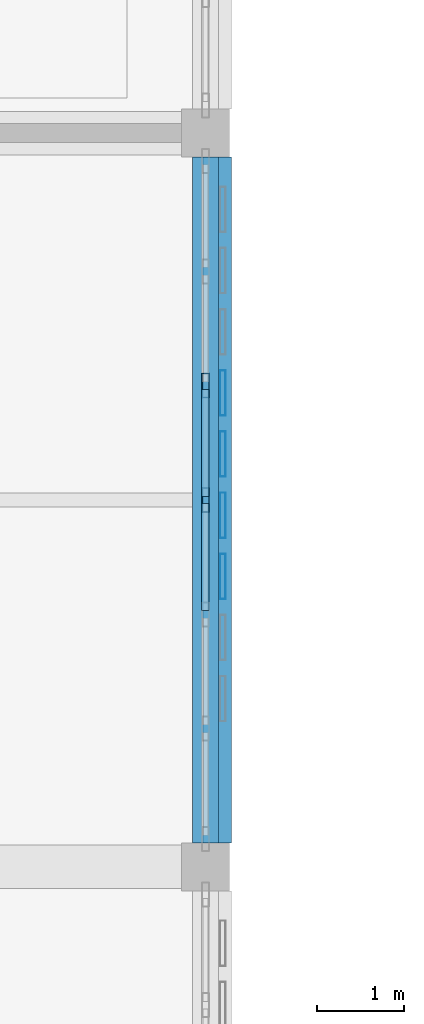
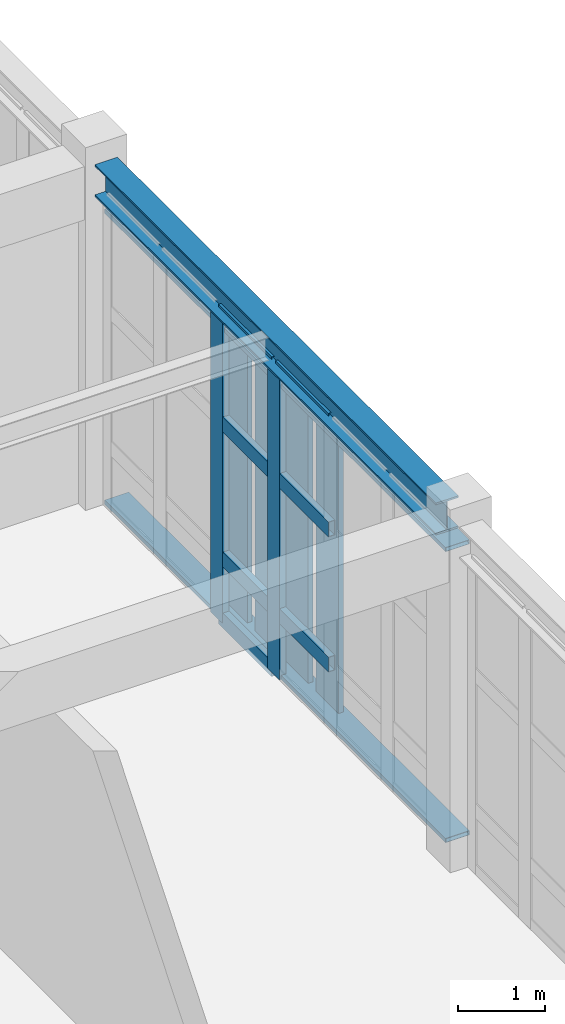
# One storey, part 23 of 106: 15 members, 1 beam, 1 element without a shape of its own.
"""IFC4 building model written with IfcOpenShell, lengths in metres."""

from ifc_helpers import new_model, si_unit, direction, frame, origin, origin_2d, place, context, subcontext, project, spatial, hollow_rectangle, i_section, extrude, material, layer, layer_set, material_profile, profile_set, type_object, element, aggregate, save


model = new_model("IFC4")

# Units and contexts
model_context = context("Model", 3, precision=1e-05, world=origin(), true_north=direction((0.0, 1.0)))
body_context = subcontext(model_context, "Body", "Model", "MODEL_VIEW")
ifc_project = project(units=[si_unit("LENGTHUNIT", "METRE"), si_unit("AREAUNIT", "SQUARE_METRE"), si_unit("VOLUMEUNIT", "CUBIC_METRE"), si_unit("PLANEANGLEUNIT", "RADIAN"), si_unit("MASSUNIT", "GRAM", prefix="KILO")], contexts=[model_context])

# Site, building, storey
site_placement = place(None, origin())
site = spatial("IfcSite", under=ifc_project, at=site_placement, CompositionType="ELEMENT")
building_placement = place(site_placement, origin())
building = spatial("IfcBuilding", under=site, at=building_placement, Name="Krzemoval Escarpment Law Courts", CompositionType="ELEMENT")
storey_placement = place(building_placement, frame((0.0, 0.0, 5.10009765625)))
storey = spatial("IfcBuildingStorey", under=building, at=storey_placement, Name="L01", CompositionType="ELEMENT", Elevation=5.10009765625)

# Curtain wall, members
ifc_material_1 = material(Name="Aluminium 6063-T6", Category="aluminium")
ifc_layer = layer(ifc_material_1, 0.280029296875)
ifc_layer_set = layer_set([ifc_layer], Name="Aluminium 6063-T6")
curtain_wall_type = type_object("IfcCurtainWallType", Name="CW-HALL-5100", PredefinedType="USERDEFINED", material=ifc_layer_set)
curtain_wall_placement = place(storey_placement, origin())
curtain_wall = element("IfcCurtainWall", 1, at=curtain_wall_placement, inside=storey, type_object=curtain_wall_type, Name="Unitised Curtain Wall FCW-L01-061", ObjectType="UNITISED_CURTAIN_WALL", PredefinedType="USERDEFINED")
ifc_material_2 = material(Name="Aluminium 6063-T6", Category="aluminium")
ifc_material_profile_1 = material_profile(ifc_material_2, hollow_rectangle(XDim=0.0849609375, YDim=0.280029296875, WallThickness=0.005615234375, at=origin_2d()), Name="ALU M85x280")
ifc_profile_set_1 = profile_set([ifc_material_profile_1], Name="Aluminium 6063-T6")
member_type_1 = type_object("IfcMemberType", Name="CWM-85x280", PredefinedType="MULLION", material=ifc_profile_set_1)
member_1_placement = place(storey_placement, frame((42.0, 63.1083984375, 0.0), z_axis=(0.0, 0.0, 1.0), x_axis=(1.0, 0.0, 0.0)))
member_1 = element("IfcMember", 2, at=member_1_placement, type_object=member_type_1, Name="FCW-L01-061 mullion 3", PredefinedType="MULLION", context=body_context, shape_type="SweptSolid", body=[
    extrude(hollow_rectangle(XDim=0.0849609375, YDim=0.280029296875, WallThickness=0.005615234375, at=origin_2d()), origin(), (0.0, 0.0, 1.0), 4.369873046875),
])
member_2_placement = place(storey_placement, frame((42.0, 61.800048828125, 0.0), z_axis=(0.0, 0.0, 1.0), x_axis=(1.0, 0.0, 0.0)))
member_2 = element("IfcMember", 3, at=member_2_placement, type_object=member_type_1, Name="FCW-L01-061 mullion 4", PredefinedType="MULLION", context=body_context, shape_type="SweptSolid", body=[
    extrude(hollow_rectangle(XDim=0.0849609375, YDim=0.280029296875, WallThickness=0.005615234375, at=origin_2d()), origin(), (0.0, 0.0, 1.0), 4.369873046875),
])
ifc_material_3 = material(Name="Aluminium 6063-T6", Category="aluminium")
ifc_material_profile_2 = material_profile(ifc_material_3, hollow_rectangle(XDim=0.0849609375, YDim=0.2099609375, WallThickness=0.005615234375, at=origin_2d()), Name="ALU T85x210")
ifc_profile_set_2 = profile_set([ifc_material_profile_2], Name="Aluminium 6063-T6")
member_type_2 = type_object("IfcMemberType", Name="CWT-85x210", PredefinedType="USERDEFINED", material=ifc_profile_set_2)
member_3_placement = place(storey_placement, frame((42.0, 63.06591796875, 0.04248046875), z_axis=(0.0, -1.0, 0.0), x_axis=(1.0, 0.0, 0.0)))
member_3 = element("IfcMember", 4, at=member_3_placement, type_object=member_type_2, Name="FCW-L01-061 transom 3.1", ObjectType="TRANSOM", PredefinedType="USERDEFINED", context=body_context, shape_type="SweptSolid", body=[
    extrude(hollow_rectangle(XDim=0.0849609375, YDim=0.2099609375, WallThickness=0.005615234375, at=origin_2d()), origin(), (0.0, 0.0, 1.0), 1.223388671875),
])
member_4_placement = place(storey_placement, frame((42.0, 63.06591796875, 0.89990234375), z_axis=(0.0, -1.0, 0.0), x_axis=(1.0, 0.0, 0.0)))
member_4 = element("IfcMember", 5, at=member_4_placement, type_object=member_type_2, Name="FCW-L01-061 transom 3.2", ObjectType="TRANSOM", PredefinedType="USERDEFINED", context=body_context, shape_type="SweptSolid", body=[
    extrude(hollow_rectangle(XDim=0.0849609375, YDim=0.2099609375, WallThickness=0.005615234375, at=origin_2d()), origin(), (0.0, 0.0, 1.0), 1.223388671875),
])
member_5_placement = place(storey_placement, frame((42.0, 63.06591796875, 2.7998046875), z_axis=(0.0, -1.0, 0.0), x_axis=(1.0, 0.0, 0.0)))
member_5 = element("IfcMember", 6, at=member_5_placement, type_object=member_type_2, Name="FCW-L01-061 transom 3.3", ObjectType="TRANSOM", PredefinedType="USERDEFINED", context=body_context, shape_type="SweptSolid", body=[
    extrude(hollow_rectangle(XDim=0.0849609375, YDim=0.2099609375, WallThickness=0.005615234375, at=origin_2d()), origin(), (0.0, 0.0, 1.0), 1.223388671875),
])
member_6_placement = place(storey_placement, frame((42.0, 63.06591796875, 4.327392578125), z_axis=(0.0, -1.0, 0.0), x_axis=(1.0, 0.0, 0.0)))
member_6 = element("IfcMember", 7, at=member_6_placement, type_object=member_type_2, Name="FCW-L01-061 transom 3.4", ObjectType="TRANSOM", PredefinedType="USERDEFINED", context=body_context, shape_type="SweptSolid", body=[
    extrude(hollow_rectangle(XDim=0.0849609375, YDim=0.2099609375, WallThickness=0.005615234375, at=origin_2d()), origin(), (0.0, 0.0, 1.0), 1.223388671875),
])
member_7_placement = place(storey_placement, frame((42.0, 61.757568359375, 0.89990234375), z_axis=(0.0, -1.0, 0.0), x_axis=(1.0, 0.0, 0.0)))
member_7 = element("IfcMember", 8, at=member_7_placement, type_object=member_type_2, Name="FCW-L01-061 transom 4.2", ObjectType="TRANSOM", PredefinedType="USERDEFINED", context=body_context, shape_type="SweptSolid", body=[
    extrude(hollow_rectangle(XDim=0.0849609375, YDim=0.2099609375, WallThickness=0.005615234375, at=origin_2d()), origin(), (0.0, 0.0, 1.0), 1.223388671875),
])
member_8_placement = place(storey_placement, frame((42.0, 61.757568359375, 2.7998046875), z_axis=(0.0, -1.0, 0.0), x_axis=(1.0, 0.0, 0.0)))
member_8 = element("IfcMember", 9, at=member_8_placement, type_object=member_type_2, Name="FCW-L01-061 transom 4.3", ObjectType="TRANSOM", PredefinedType="USERDEFINED", context=body_context, shape_type="SweptSolid", body=[
    extrude(hollow_rectangle(XDim=0.0849609375, YDim=0.2099609375, WallThickness=0.005615234375, at=origin_2d()), origin(), (0.0, 0.0, 1.0), 1.223388671875),
])
member_9_placement = place(storey_placement, frame((42.0, 61.757568359375, 4.327392578125), z_axis=(0.0, -1.0, 0.0), x_axis=(1.0, 0.0, 0.0)))
member_9 = element("IfcMember", 10, at=member_9_placement, type_object=member_type_2, Name="FCW-L01-061 transom 4.4", ObjectType="TRANSOM", PredefinedType="USERDEFINED", context=body_context, shape_type="SweptSolid", body=[
    extrude(hollow_rectangle(XDim=0.0849609375, YDim=0.2099609375, WallThickness=0.005615234375, at=origin_2d()), origin(), (0.0, 0.0, 1.0), 1.223388671875),
])
aggregate(curtain_wall, [member_1, member_2, member_3, member_4, member_5, member_6, member_7, member_8, member_9])

# Members
ifc_material_4 = material(Name="Anodised Aluminium Alloy 6063-T6", Category="aluminium")
ifc_material_profile_3 = material_profile(ifc_material_4, hollow_rectangle(XDim=0.06005859375, YDim=0.320068359375, WallThickness=0.00390625, at=origin_2d()), Name="ALU LVR 60x320")
ifc_profile_set_3 = profile_set([ifc_material_profile_3], Name="Anodised Aluminium Alloy 6063-T6")
member_type_3 = type_object("IfcMemberType", Name="LVR-ALU-320", PredefinedType="USERDEFINED", material=ifc_profile_set_3)
for number, where, z_axis, x_axis, name in (
    (11, (42.139892578125, 65.72509765625, 0.02978515625), (0.0, -1.0, 0.0), (0.0, 0.0, 1.0), "Sunshade Support Rail FSR-L01-0334"),
    (12, (42.139892578125, 65.72509765625, 4.119873046875), (0.0, -1.0, 0.0), (0.0, 0.0, 1.0), "Sunshade Support Rail FSR-L01-0335"),
):
    element("IfcMember", number, at=place(storey_placement, frame(where, z_axis=z_axis, x_axis=x_axis)), inside=storey, type_object=member_type_3, Name=name, ObjectType="SUNSHADE_LOUVRE", PredefinedType="USERDEFINED", context=body_context, shape_type="SweptSolid", body=[
        extrude(hollow_rectangle(XDim=0.06005859375, YDim=0.320068359375, WallThickness=0.00390625, at=origin_2d()), origin(), (0.0, 0.0, 1.0), 7.85009765625),
    ])
ifc_material_5 = material(Name="Anodised Aluminium Alloy 6063-T6", Category="aluminium")
ifc_material_profile_4 = material_profile(ifc_material_5, hollow_rectangle(XDim=0.06494140625, YDim=0.52001953125, WallThickness=0.00439453125, at=origin_2d()), Name="ALU LVR 65x520")
ifc_profile_set_4 = profile_set([ifc_material_profile_4], Name="Anodised Aluminium Alloy 6063-T6")
member_type_4 = type_object("IfcMemberType", Name="LVR-ALU-520", PredefinedType="USERDEFINED", material=ifc_profile_set_4)
for number, where, z_axis, x_axis, name in (
    (13, (42.199951171875, 63.02490234375, 0.059814453125), (0.0, 0.0, 1.0), (1.0, 0.0, 0.0), "Sunshade Louvre Fin FLV-L01-0339"),
    (14, (42.199951171875, 62.324951171875, 0.059814453125), (0.0, 0.0, 1.0), (1.0, 0.0, 0.0), "Sunshade Louvre Fin FLV-L01-0340"),
    (15, (42.199951171875, 61.625, 0.059814453125), (0.0, 0.0, 1.0), (1.0, 0.0, 0.0), "Sunshade Louvre Fin FLV-L01-0341"),
    (16, (42.199951171875, 60.925048828125, 0.059814453125), (0.0, 0.0, 1.0), (1.0, 0.0, 0.0), "Sunshade Louvre Fin FLV-L01-0342"),
):
    element("IfcMember", number, at=place(storey_placement, frame(where, z_axis=z_axis, x_axis=x_axis)), inside=storey, type_object=member_type_4, Name=name, ObjectType="SUNSHADE_LOUVRE", PredefinedType="USERDEFINED", context=body_context, shape_type="SweptSolid", body=[
        extrude(hollow_rectangle(XDim=0.06494140625, YDim=0.52001953125, WallThickness=0.00439453125, at=origin_2d()), origin(), (0.0, 0.0, 1.0), 4.31005859375),
    ])

# Beam
ifc_material_6 = material(Name="Steel S355", Category="steel")
ifc_material_profile_5 = material_profile(ifc_material_6, i_section(OverallWidth=0.300048828125, OverallDepth=0.449951171875, WebThickness=0.013916015625, FlangeThickness=0.02587890625, at=origin_2d()), Name="HEB 450")
ifc_profile_set_5 = profile_set([ifc_material_profile_5], Name="Steel S355")
beam_type = type_object("IfcBeamType", Name="SPN-S355-HEB450", PredefinedType="SPANDREL", material=ifc_profile_set_5)
beam_placement = place(storey_placement, frame((42.0, 57.875, 4.594970703125), z_axis=(0.0, 1.0, 0.0), x_axis=(-1.0, 0.0, 0.0)))
element("IfcBeam", 17, at=beam_placement, inside=storey, type_object=beam_type, Name="Beam FG-L01-1443", PredefinedType="SPANDREL", context=body_context, shape_type="SweptSolid", body=[
    extrude(i_section(OverallWidth=0.300048828125, OverallDepth=0.449951171875, WebThickness=0.013916015625, FlangeThickness=0.02587890625, at=origin_2d()), origin(), (0.0, 0.0, 1.0), 7.85009765625),
])

save(model, "model.ifc")
